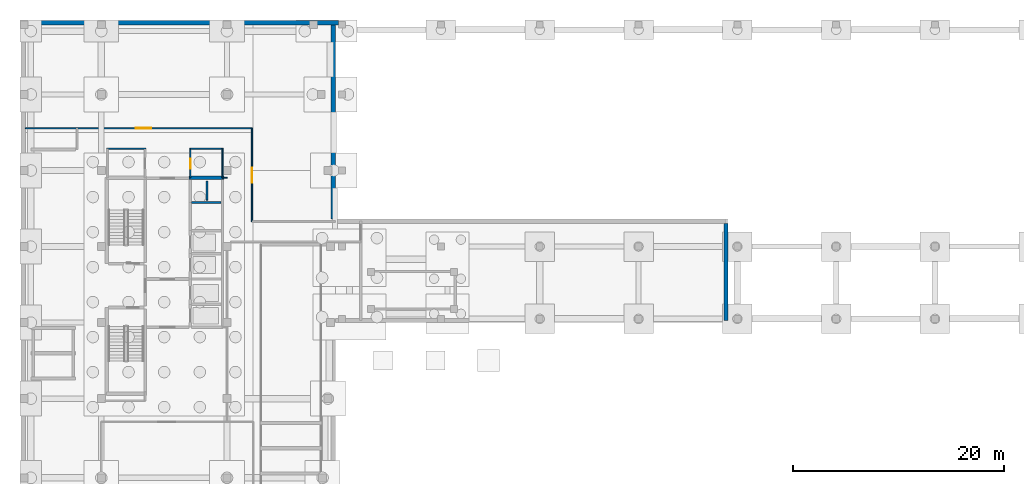
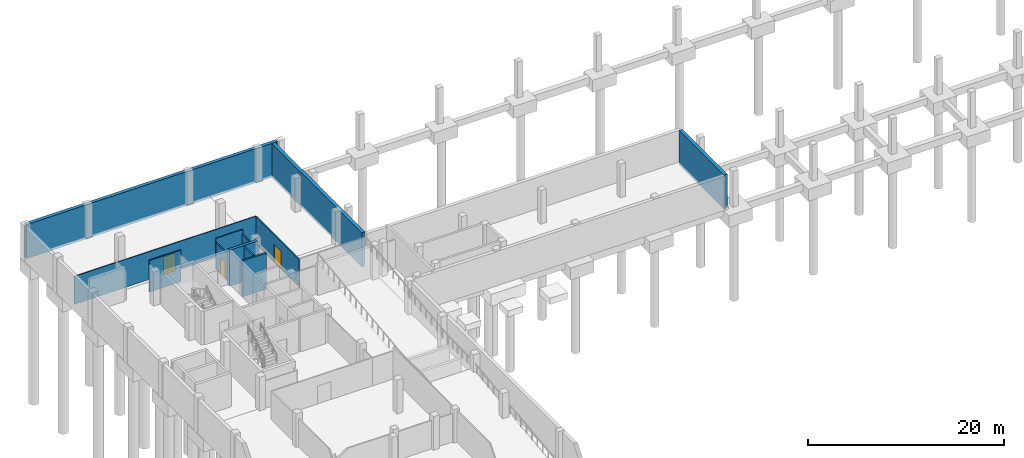
# One storey, part 13 of 21: 13 walls, 3 doors, 3 openings.
"""IFC4 building model written with IfcOpenShell, lengths in metres."""

from ifc_helpers import new_model, si_unit, direction, frame, frame_2d, origin, place, context, subcontext, project, spatial, rectangle, extrude, material, layer, layer_set, type_object, element, fill, save


model = new_model("IFC4")

# Units and contexts
model_context = context("Model", 3, precision=1e-05, world=origin(), true_north=direction((0.0, 1.0)))
body_context = subcontext(model_context, "Body", "Model", "MODEL_VIEW")
ifc_project = project(units=[si_unit("LENGTHUNIT", "METRE"), si_unit("AREAUNIT", "SQUARE_METRE"), si_unit("VOLUMEUNIT", "CUBIC_METRE"), si_unit("PLANEANGLEUNIT", "RADIAN"), si_unit("MASSUNIT", "GRAM", prefix="KILO")], contexts=[model_context])

# Site, building, storey
site_placement = place(None, origin())
site = spatial("IfcSite", under=ifc_project, at=site_placement, CompositionType="ELEMENT")
building_placement = place(site_placement, origin())
building = spatial("IfcBuilding", under=site, at=building_placement, Name="Quillay Park Conservatory", CompositionType="ELEMENT")
storey_placement = place(building_placement, frame((0.0, 0.0, -8.39990234375)))
storey = spatial("IfcBuildingStorey", under=building, at=storey_placement, Name="B2", CompositionType="ELEMENT", Elevation=-8.39990234375)

# Wall, opening, door
ifc_material_1 = material(Name="Steel-Stud Acoustic Gypsum Board Partition", Category="steel")
ifc_layer_1 = layer(ifc_material_1, 0.10009765625)
ifc_layer_set_1 = layer_set([ifc_layer_1], Name="ACOUSTIC GYPSUM PARTITION 100 (Steel-Stud Acoustic Gypsum Board Partition)")
wall_type_1 = type_object("IfcWallType", Name="ACOUSTIC GYPSUM PARTITION 100", PredefinedType="PARTITIONING", material=ifc_layer_set_1)
wall_1_placement = place(storey_placement, frame((0.64990234375, 103.60009765625, 0.0), z_axis=(0.0, 0.0, 1.0), x_axis=(1.0, 0.0, 0.0)))
wall_1 = element("IfcWall", 1, at=wall_1_placement, inside=storey, type_object=wall_type_1, Name="B2 Chiller South Wall", PredefinedType="PARTITIONING", context=body_context, shape_type="SweptSolid", body=[
    extrude(rectangle(XDim=21.47021484375, YDim=0.10009765625, at=frame_2d((10.735107421875, 0.0))), origin(), (0.0, 0.0, 1.0), 3.48681640625),
])
opening_1_placement = place(wall_1_placement, frame((10.47509765625, 0.0, 0.0)))
opening_1 = element("IfcOpeningElement", 2, at=opening_1_placement, cuts=wall_1, Name="Opening D-PL01", PredefinedType="OPENING", context=body_context, shape_type="SweptSolid", body=[
    extrude(rectangle(XDim=1.449951171875, YDim=2.199951171875, at=frame_2d((0.72509765625, 1.10009765625))), frame((0.0, 0.050048828125, 0.0), z_axis=(0.0, -1.0, 0.0), x_axis=(1.0, 0.0, 0.0)), (0.0, 0.0, 1.0), 0.10009765625),
])
ifc_material_2 = material(Name="Steel ASTM A572 Grade 50", Category="steel")
door_type_1 = type_object("IfcDoorType", Name="FIRE RATED PLANT DOOR 1450 X2200", OperationType="NOTDEFINED", PredefinedType="DOOR", material=ifc_material_2)
door_1_placement = place(opening_1_placement, origin())
door_1 = element("IfcDoor", 3, at=door_1_placement, inside=storey, type_object=door_type_1, Name="B2 Door to B2 Hydronic Heat-Recovery Chiller Plant Room", OperationType="SINGLE_SWING_LEFT", OverallHeight=2.199951171875, OverallWidth=1.449951171875, PredefinedType="DOOR", context=body_context, shape_type="SweptSolid", body=[
    extrude(rectangle(XDim=1.449951171875, YDim=2.199951171875, at=frame_2d((0.72509765625, 1.10009765625))), frame((0.0, 0.02490234375, 0.0), z_axis=(0.0, -1.0, 0.0), x_axis=(1.0, 0.0, 0.0)), (0.0, 0.0, 1.0), 0.050048828125),
])
fill(opening_1, door_1)

# Wall
ifc_material_3 = material(Name="Steel-Stud Acoustic Gypsum Board Partition", Category="steel")
ifc_layer_2 = layer(ifc_material_3, 0.110107421875)
ifc_layer_set_2 = layer_set([ifc_layer_2], Name="ACOUSTIC GYPSUM PARTITION 110 (Steel-Stud Acoustic Gypsum Board Partition)")
wall_type_2 = type_object("IfcWallType", Name="ACOUSTIC GYPSUM PARTITION 110", PredefinedType="PARTITIONING", material=ifc_layer_set_2)
wall_2_placement = place(storey_placement, frame((19.75, 98.89990234375, 0.0), z_axis=(0.0, 0.0, 1.0), x_axis=(-1.0, 0.0, 0.0)))
element("IfcWall", 4, at=wall_2_placement, inside=storey, type_object=wall_type_2, Name="B2 Core North-East Closure", PredefinedType="PARTITIONING", context=body_context, shape_type="SweptSolid", body=[
    extrude(rectangle(XDim=0.429931640625, YDim=0.110107421875, at=frame_2d((0.21484375, 0.0))), origin(), (0.0, 0.0, 1.0), 3.48681640625),
])

# Wall, opening, door
ifc_material_4 = material(Name="Steel-Stud Acoustic Gypsum Board Partition", Category="steel")
ifc_layer_3 = layer(ifc_material_4, 0.114990234375)
ifc_layer_set_3 = layer_set([ifc_layer_3], Name="ACOUSTIC GYPSUM PARTITION 115 (Steel-Stud Acoustic Gypsum Board Partition)")
wall_type_3 = type_object("IfcWallType", Name="ACOUSTIC GYPSUM PARTITION 115", PredefinedType="PARTITIONING", material=ifc_layer_set_3)
wall_3_placement = place(storey_placement, frame((16.280029296875, 98.919921875, 0.0), z_axis=(0.0, 0.0, 1.0), x_axis=(0.0, 1.0, 0.0)))
wall_3 = element("IfcWall", 5, at=wall_3_placement, inside=storey, type_object=wall_type_3, Name="B2 Washroom Door Wall", PredefinedType="PARTITIONING", context=body_context, shape_type="SweptSolid", body=[
    extrude(rectangle(XDim=2.68017578125, YDim=0.114990234375, at=frame_2d((1.340087890625, 0.0))), origin(), (0.0, 0.0, 1.0), 3.410888671875),
])
opening_2_placement = place(wall_3_placement, frame((0.864990234375, 0.0, 0.0)))
opening_2 = element("IfcOpeningElement", 6, at=opening_2_placement, cuts=wall_3, Name="Opening D-RM02", PredefinedType="OPENING", context=body_context, shape_type="SweptSolid", body=[
    extrude(rectangle(XDim=0.949951171875, YDim=2.10009765625, at=frame_2d((0.47509765625, 1.050048828125))), frame((0.0, 0.0576171875, 0.0), z_axis=(0.0, -1.0, 0.0), x_axis=(1.0, 0.0, 0.0)), (0.0, 0.0, 1.0), 0.114990234375),
])
ifc_material_5 = material(Name="Thermally Broken Anodised Aluminium 6063-T6", Category="aluminium")
door_type_2 = type_object("IfcDoorType", Name="SINGLE SWING DOOR 950 X2100", OperationType="NOTDEFINED", PredefinedType="DOOR", material=ifc_material_5)
door_2_placement = place(opening_2_placement, origin())
door_2 = element("IfcDoor", 7, at=door_2_placement, inside=storey, type_object=door_type_2, Name="B2 Door to B2 Restroom and Washroom", OperationType="SINGLE_SWING_RIGHT", OverallHeight=2.10009765625, OverallWidth=0.949951171875, PredefinedType="DOOR", context=body_context, shape_type="SweptSolid", body=[
    extrude(rectangle(XDim=0.949951171875, YDim=2.10009765625, at=frame_2d((0.47509765625, 1.050048828125))), frame((0.0, 0.02490234375, 0.0), z_axis=(0.0, -1.0, 0.0), x_axis=(1.0, 0.0, 0.0)), (0.0, 0.0, 1.0), 0.050048828125),
])
fill(opening_2, door_2)

# Walls
ifc_material_6 = material(Name="Steel-Stud Acoustic Gypsum Board Partition", Category="steel")
ifc_layer_4 = layer(ifc_material_6, 0.1201171875)
ifc_layer_set_4 = layer_set([ifc_layer_4], Name="ACOUSTIC GYPSUM PARTITION 120 (Steel-Stud Acoustic Gypsum Board Partition)")
wall_type_4 = type_object("IfcWallType", Name="ACOUSTIC GYPSUM PARTITION 120", PredefinedType="PARTITIONING", material=ifc_layer_set_4)
wall_4_placement = place(storey_placement, frame((19.3798828125, 101.659912109375, 0.0), z_axis=(0.0, 0.0, 1.0), x_axis=(-1.0, 0.0, 0.0)))
element("IfcWall", 8, at=wall_4_placement, inside=storey, type_object=wall_type_4, Name="B2 Washroom North Wall", PredefinedType="PARTITIONING", context=body_context, shape_type="SweptSolid", body=[
    extrude(rectangle(XDim=3.159912109375, YDim=0.1201171875, at=frame_2d((1.580078125, 0.0))), origin(), (0.0, 0.0, 1.0), 3.949951171875),
])
ifc_material_7 = material(Name="Steel-Stud Acoustic Gypsum Board Partition", Category="steel")
ifc_layer_5 = layer(ifc_material_7, 0.125)
ifc_layer_set_5 = layer_set([ifc_layer_5], Name="ACOUSTIC GYPSUM PARTITION 125 (Steel-Stud Acoustic Gypsum Board Partition)")
wall_type_5 = type_object("IfcWallType", Name="ACOUSTIC GYPSUM PARTITION 125", PredefinedType="PARTITIONING", material=ifc_layer_set_5)
wall_5_placement = place(storey_placement, frame((19.320068359375, 98.919921875, 0.0), z_axis=(0.0, 0.0, 1.0), x_axis=(0.0, 1.0, 0.0)))
element("IfcWall", 9, at=wall_5_placement, inside=storey, type_object=wall_type_5, Name="B2 Washroom East Wall", PredefinedType="PARTITIONING", context=body_context, shape_type="SweptSolid", body=[
    extrude(rectangle(XDim=2.739990234375, YDim=0.125, at=frame_2d((1.3701171875, 0.0))), origin(), (0.0, 0.0, 1.0), 3.410888671875),
])

# Wall, opening, door
ifc_material_8 = material(Name="Steel-Stud Acoustic Gypsum Board Partition", Category="steel")
ifc_layer_6 = layer(ifc_material_8, 0.1298828125)
ifc_layer_set_6 = layer_set([ifc_layer_6], Name="ACOUSTIC GYPSUM PARTITION 130 (Steel-Stud Acoustic Gypsum Board Partition)")
wall_type_6 = type_object("IfcWallType", Name="ACOUSTIC GYPSUM PARTITION 130", PredefinedType="PARTITIONING", material=ifc_layer_set_6)
wall_6_placement = place(storey_placement, frame((22.1201171875, 103.60009765625, 0.0), z_axis=(0.0, 0.0, 1.0), x_axis=(0.0, -1.0, 0.0)))
wall_6 = element("IfcWall", 10, at=wall_6_placement, inside=storey, type_object=wall_type_6, Name="B2 North-East Plant West Wall", PredefinedType="PARTITIONING", context=body_context, shape_type="SweptSolid", body=[
    extrude(rectangle(XDim=8.85009765625, YDim=0.1298828125, at=frame_2d((4.425048828125, 0.0))), origin(), (0.0, 0.0, 1.0), 3.410888671875),
])
opening_3_placement = place(wall_6_placement, frame((3.72509765625, 0.0, 0.0)))
opening_3 = element("IfcOpeningElement", 11, at=opening_3_placement, cuts=wall_6, Name="Opening D-PL01", PredefinedType="OPENING", context=body_context, shape_type="SweptSolid", body=[
    extrude(rectangle(XDim=1.449951171875, YDim=2.199951171875, at=frame_2d((0.72509765625, 1.10009765625))), frame((0.0, 0.06494140625, 0.0), z_axis=(0.0, -1.0, 0.0), x_axis=(1.0, 0.0, 0.0)), (0.0, 0.0, 1.0), 0.1298828125),
])
door_3_placement = place(opening_3_placement, origin())
door_3 = element("IfcDoor", 12, at=door_3_placement, inside=storey, type_object=door_type_1, Name="B2 Door to B2 Geothermal Heat-Exchange Plant Room", OperationType="SINGLE_SWING_LEFT", OverallHeight=2.199951171875, OverallWidth=1.449951171875, PredefinedType="DOOR", context=body_context, shape_type="SweptSolid", body=[
    extrude(rectangle(XDim=1.449951171875, YDim=2.199951171875, at=frame_2d((0.72509765625, 1.10009765625))), frame((0.0, 0.02490234375, 0.0), z_axis=(0.0, -1.0, 0.0), x_axis=(1.0, 0.0, 0.0)), (0.0, 0.0, 1.0), 0.050048828125),
])
fill(opening_3, door_3)

# Walls
ifc_material_9 = material(Name="Steel-Stud Acoustic Gypsum Board Partition", Category="steel")
ifc_layer_7 = layer(ifc_material_9, 0.139892578125)
ifc_layer_set_7 = layer_set([ifc_layer_7], Name="ACOUSTIC GYPSUM PARTITION 140 (Steel-Stud Acoustic Gypsum Board Partition)")
wall_type_7 = type_object("IfcWallType", Name="ACOUSTIC GYPSUM PARTITION 140", PredefinedType="PARTITIONING", material=ifc_layer_set_7)
wall_7_placement = place(storey_placement, frame((8.360107421875, 101.659912109375, 0.0), z_axis=(0.0, 0.0, 1.0), x_axis=(1.0, 0.0, 0.0)))
element("IfcWall", 13, at=wall_7_placement, inside=storey, type_object=wall_type_7, Name="B2 Accessible WC North Wall", PredefinedType="PARTITIONING", context=body_context, shape_type="SweptSolid", body=[
    extrude(rectangle(XDim=3.699951171875, YDim=0.139892578125, at=frame_2d((1.85009765625, 0.0))), origin(), (0.0, 0.0, 1.0), 3.949951171875),
])
ifc_material_10 = material(Name="Concrete C35/45 (NCh170 Concrete C35/45)", Category="concrete")
ifc_layer_8 = layer(ifc_material_10, 0.22509765625)
ifc_layer_set_8 = layer_set([ifc_layer_8], Name="CORE SHEAR WALL 225 (Concrete C35/45 (NCh170 Concrete C35/45))")
wall_type_8 = type_object("IfcWallType", Name="CORE SHEAR WALL 225", PredefinedType="SHEAR", material=ifc_layer_set_8)
wall_8_placement = place(storey_placement, frame((16.39990234375, 96.574951171875, -0.300048828125), z_axis=(0.0, 0.0, 1.0), x_axis=(1.0, 0.0, 0.0)))
element("IfcWall", 14, at=wall_8_placement, inside=storey, type_object=wall_type_8, Name="B2 Core Shear Wall WL-LFDIV-B2-965", PredefinedType="SHEAR", context=body_context, shape_type="SweptSolid", body=[
    extrude(rectangle(XDim=2.800048828125, YDim=0.22509765625, at=frame_2d((1.39990234375, 0.0))), origin(), (0.0, 0.0, 1.0), 4.5),
])
ifc_material_11 = material(Name="Concrete C40/50 (NCh170 Concrete C40/50)", Category="concrete")
ifc_layer_9 = layer(ifc_material_11, 0.35009765625)
ifc_layer_set_9 = layer_set([ifc_layer_9], Name="CORE SHEAR WALL 350 (Concrete C40/50 (NCh170 Concrete C40/50))")
wall_type_9 = type_object("IfcWallType", Name="CORE SHEAR WALL 350", PredefinedType="SHEAR", material=ifc_layer_set_9)
wall_9_placement = place(storey_placement, frame((16.14990234375, 98.925048828125, -0.300048828125), z_axis=(0.0, 0.0, 1.0), x_axis=(1.0, 0.0, 0.0)))
element("IfcWall", 15, at=wall_9_placement, inside=storey, type_object=wall_type_9, Name="B2 Core Shear Wall WL-TCN-E-B2", PredefinedType="SHEAR", context=body_context, shape_type="SweptSolid", body=[
    extrude(rectangle(XDim=3.300048828125, YDim=0.35009765625, at=frame_2d((1.64990234375, 0.0))), origin(), (0.0, 0.0, 1.0), 4.5),
])
ifc_material_12 = material(Name="Steel-Stud Acoustic Gypsum Board Partition", Category="steel")
ifc_layer_10 = layer(ifc_material_12, 0.1650390625)
ifc_layer_set_10 = layer_set([ifc_layer_10], Name="PLUMBING SHAFT WALL 165 (Steel-Stud Acoustic Gypsum Board Partition)")
wall_type_10 = type_object("IfcWallType", Name="PLUMBING SHAFT WALL 165", PredefinedType="PLUMBINGWALL", material=ifc_layer_set_10)
wall_10_placement = place(storey_placement, frame((17.85009765625, 96.800048828125, -0.300048828125), z_axis=(0.0, 0.0, 1.0), x_axis=(0.0, 1.0, 0.0)))
element("IfcWall", 16, at=wall_10_placement, inside=storey, type_object=wall_type_10, Name="B2 Plumbing Riser Wall", PredefinedType="PLUMBINGWALL", context=body_context, shape_type="SweptSolid", body=[
    extrude(rectangle(XDim=1.800048828125, YDim=0.1650390625, at=frame_2d((0.89990234375, 0.0))), origin(), (0.0, 0.0, 1.0), 4.5),
])
ifc_material_13 = material(Name="Concrete C35/45 (NCh170 Concrete C35/45)", Category="concrete")
ifc_layer_11 = layer(ifc_material_13, 0.39990234375)
ifc_layer_set_11 = layer_set([ifc_layer_11], Name="RETAINING WALL 400 (Concrete C35/45 (NCh170 Concrete C35/45))")
wall_type_11 = type_object("IfcWallType", Name="RETAINING WALL 400", PredefinedType="USERDEFINED", material=ifc_layer_set_11)
wall_11_placement = place(storey_placement, frame((0.64990234375, 113.60009765625, -0.300048828125), z_axis=(0.0, 0.0, 1.0), x_axis=(1.0, 0.0, 0.0)))
element("IfcWall", 17, at=wall_11_placement, inside=storey, type_object=wall_type_11, Name="B2 Perimeter Retaining Wall 02", ObjectType="RETAINING WALL", PredefinedType="USERDEFINED", context=body_context, shape_type="SweptSolid", body=[
    extrude(rectangle(XDim=29.675048828125, YDim=0.39990234375, at=frame_2d((14.83740234375, 0.0))), origin(), (0.0, 0.0, 1.0), 4.260009765625),
])
wall_12_placement = place(storey_placement, frame((29.800048828125, 113.39990234375, -0.300048828125), z_axis=(0.0, 0.0, 1.0), x_axis=(0.0, -1.0, 0.0)))
element("IfcWall", 18, at=wall_12_placement, inside=storey, type_object=wall_type_11, Name="B2 Perimeter Retaining Wall 03", ObjectType="RETAINING WALL", PredefinedType="USERDEFINED", context=body_context, shape_type="SweptSolid", body=[
    extrude(rectangle(XDim=18.39990234375, YDim=0.39990234375, at=frame_2d((9.199951171875, 0.0))), origin(), (0.0, 0.0, 1.0), 4.260009765625),
])
wall_13_placement = place(storey_placement, frame((67.0, 94.60009765625, -0.300048828125), z_axis=(0.0, 0.0, 1.0), x_axis=(0.0, -1.0, 0.0)))
element("IfcWall", 19, at=wall_13_placement, inside=storey, type_object=wall_type_11, Name="B2 Perimeter Retaining Wall 05", ObjectType="RETAINING WALL", PredefinedType="USERDEFINED", context=body_context, shape_type="SweptSolid", body=[
    extrude(rectangle(XDim=9.2001953125, YDim=0.39990234375, at=frame_2d((4.60009765625, 0.0))), origin(), (0.0, 0.0, 1.0), 4.260009765625),
])

save(model, "model.ifc")
